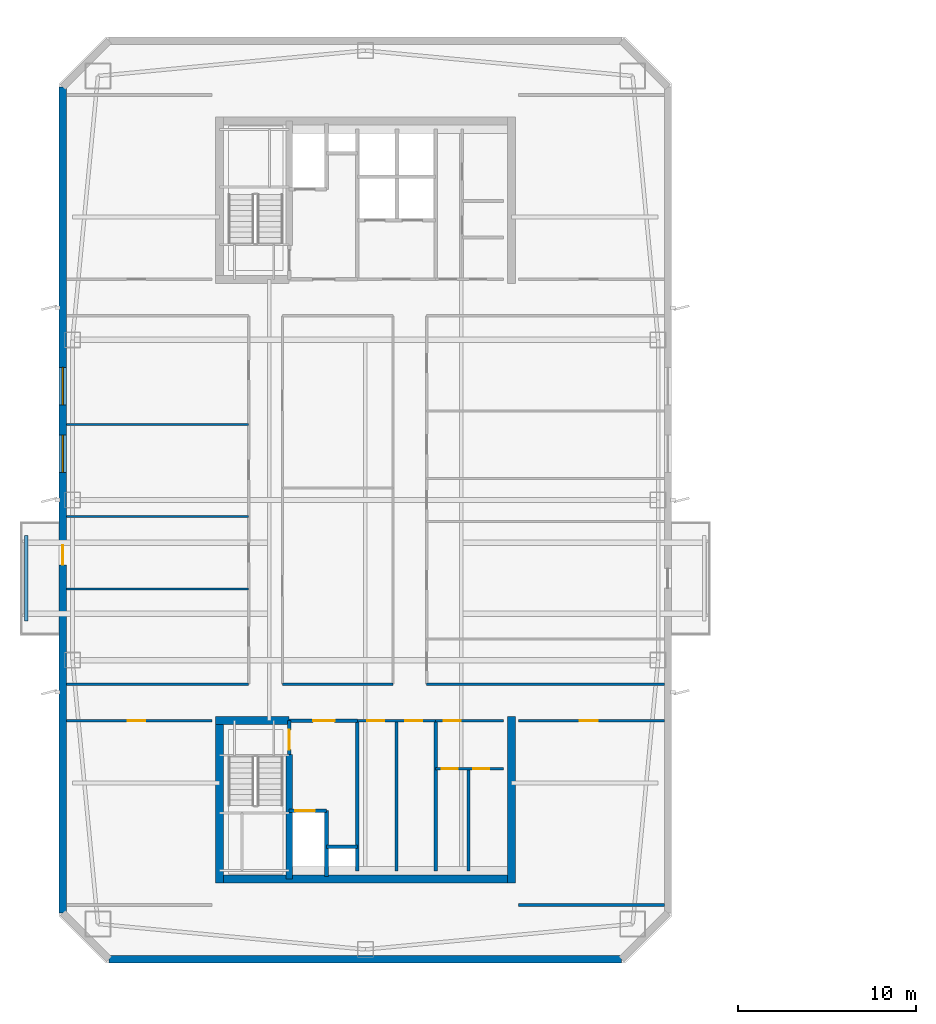
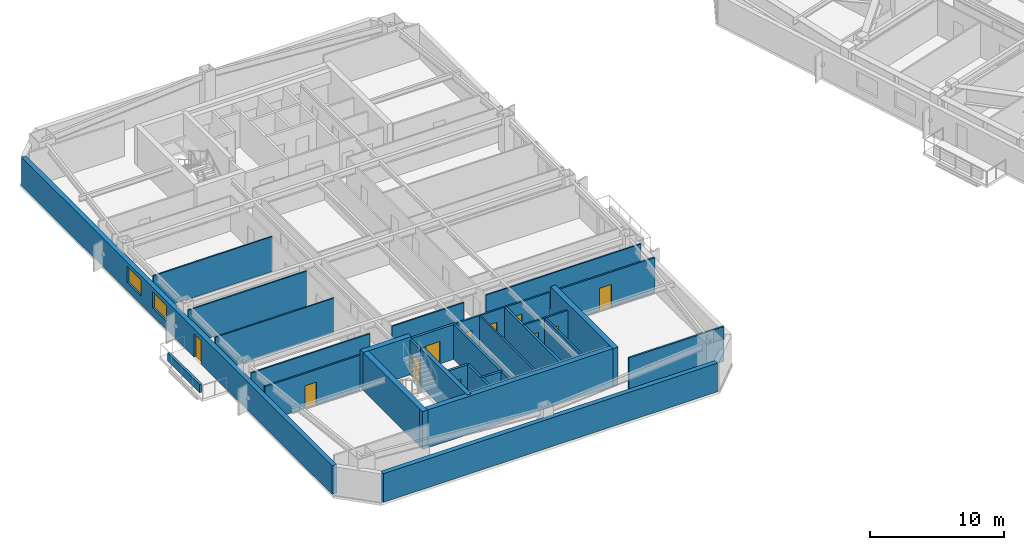
# One storey, part 6 of 18: 29 walls, 11 doors, 2 windows, 13 openings.
"""IFC4 building model written with IfcOpenShell, lengths in metres."""

import ifcopenshell
import ifcopenshell.guid

model = None  # the IFC model being written
_history = None  # IfcOwnerHistory: only IFC2X3 demands one
_inside = {}  # id of a spatial element -> (the spatial element, [elements in it])
_under = {}  # id of a project, library or spatial element -> (it, [spatial elements below it])
_declared = {}  # id of a project -> (the project, [libraries it declares])
_typed = {}  # id of a type object -> (the type object, [elements of that type])
_made_of = {}  # id of a material, layer set ... -> (it, [elements and type objects made of it])


def new_model(schema):
    """Start an empty IFC model of exactly this schema.

    Asked for "IFC4X3", IfcOpenShell would pick the latest addendum, in which some entities
    have other attributes; the version numbers below select the first issue.
    IFC2X3 requires an IfcOwnerHistory on every rooted entity: one is made here for all.
    """
    global model, _history
    if schema == "IFC4X3":
        model = ifcopenshell.file(schema_version=(4, 3, 0, 0))
    else:
        model = ifcopenshell.file(schema=schema)
    _inside.clear()
    _under.clear()
    _declared.clear()
    _typed.clear()
    _made_of.clear()
    _history = None
    if model.schema == "IFC2X3":
        org = make("IfcOrganization", Name="unknown")
        user = make(
            "IfcPersonAndOrganization",
            ThePerson=make("IfcPerson", FamilyName="unknown"),
            TheOrganization=org,
        )
        app = make(
            "IfcApplication",
            ApplicationDeveloper=org,
            Version="unknown",
            ApplicationFullName="unknown",
            ApplicationIdentifier="unknown",
        )
        _history = make(
            "IfcOwnerHistory",
            OwningUser=user,
            OwningApplication=app,
            ChangeAction="ADDED",
            CreationDate=0,
        )
    return model


def make(cls, **values):
    """One entity of the class cls with the attributes given. An attribute that is None is left unset."""
    return model.create_entity(
        cls, **{name: value for name, value in values.items() if value is not None}
    )


def rooted(cls, **values):
    """An entity with a GlobalId (a new one), such as an element, a storey or a relation."""
    return make(cls, GlobalId=ifcopenshell.guid.new(), OwnerHistory=_history, **values)


def si_unit(unit_type, name, prefix=None):
    """IfcSIUnit, for example si_unit("LENGTHUNIT", "METRE", prefix="MILLI")."""
    return make("IfcSIUnit", UnitType=unit_type, Prefix=prefix, Name=name)


def assignment(units):
    """IfcUnitAssignment: the units of a project."""
    return None if units is None else make("IfcUnitAssignment", Units=units)


def point(xyz):
    """IfcCartesianPoint."""
    return None if xyz is None else make("IfcCartesianPoint", Coordinates=xyz)


def direction(xyz):
    """IfcDirection."""
    return None if xyz is None else make("IfcDirection", DirectionRatios=xyz)


def frame(location, z_axis=None, x_axis=None):
    """IfcAxis2Placement3D, a coordinate frame: its origin and axes. An axis left out is left unset."""
    return make(
        "IfcAxis2Placement3D",
        Location=point(location),
        Axis=direction(z_axis),
        RefDirection=direction(x_axis),
    )


def frame_2d(location, x_axis=None):
    """IfcAxis2Placement2D, a coordinate frame in the plane: its origin and x axis."""
    return make(
        "IfcAxis2Placement2D", Location=point(location), RefDirection=direction(x_axis)
    )


def origin():
    """The frame at (0, 0, 0) with its axes left unset."""
    return frame((0.0, 0.0, 0.0))


def place(relative_to, where):
    """IfcLocalPlacement: puts the frame where relative to a parent placement (None: the world)."""
    return make(
        "IfcLocalPlacement", PlacementRelTo=relative_to, RelativePlacement=where
    )


def context(
    kind, dimensions, precision=None, world=None, true_north=None, identifier=None
):
    """IfcGeometricRepresentationContext, for example the 3D "Model" context."""
    return make(
        "IfcGeometricRepresentationContext",
        ContextIdentifier=identifier,
        ContextType=kind,
        CoordinateSpaceDimension=dimensions,
        Precision=precision,
        WorldCoordinateSystem=world,
        TrueNorth=true_north,
    )


def subcontext(parent, identifier, kind, view, scale=None):
    """IfcGeometricRepresentationSubContext, for example "Body" below "Model"."""
    return make(
        "IfcGeometricRepresentationSubContext",
        ContextIdentifier=identifier,
        ContextType=kind,
        ParentContext=parent,
        TargetScale=scale,
        TargetView=view,
    )


def project(units=None, contexts=None):
    """IfcProject with its units and contexts."""
    return rooted(
        "IfcProject",
        Name="project",
        RepresentationContexts=contexts,
        UnitsInContext=assignment(units),
    )


def spatial(cls, under=None, at=None, **own):
    """A site, building, storey or space (cls), placed at a placement, below another one or the project."""
    s = rooted(cls, ObjectPlacement=at, **own)
    if under is not None:
        _under.setdefault(under.id(), (under, []))[1].append(s)
    return s


def profile(cls, at=None, kind="AREA", **sizes):
    """A parametric profile (cls). Its sizes go by their IFC names, for example OverallWidth=200.0."""
    return make(cls, ProfileType=kind, Position=at, **sizes)


def rectangle(**sizes):
    """IfcRectangleProfileDef."""
    return profile("IfcRectangleProfileDef", **sizes)


def extrude(swept, where, along, depth):
    """IfcExtrudedAreaSolid: the profile swept, set in the frame where, extruded along a direction by depth."""
    return make(
        "IfcExtrudedAreaSolid",
        SweptArea=swept,
        Position=where,
        ExtrudedDirection=direction(along),
        Depth=depth,
    )


def shape(context_of_items, identifier, shape_type, items):
    """IfcShapeRepresentation: the items that make up one representation, for example the "Body"."""
    return make(
        "IfcShapeRepresentation",
        ContextOfItems=context_of_items,
        RepresentationIdentifier=identifier,
        RepresentationType=shape_type,
        Items=items,
    )


def material(Name=None, Category=None):
    """IfcMaterial."""
    return make("IfcMaterial", Name=Name, Category=Category)


def layer(
    of_material, thickness, ventilated=None, Name=None, Category=None, Priority=None
):
    """IfcMaterialLayer: one layer of a wall or slab, of a material (None: an air gap)."""
    return make(
        "IfcMaterialLayer",
        Material=of_material,
        LayerThickness=thickness,
        IsVentilated=ventilated,
        Name=Name,
        Category=Category,
        Priority=Priority,
    )


def layer_set(layers, Name=None):
    """IfcMaterialLayerSet."""
    return make("IfcMaterialLayerSet", MaterialLayers=layers, LayerSetName=Name)


def made_of(thing, what):
    """Note that an element or type object is made of a material, layer set ...; save() writes the relation."""
    if what is not None:
        _made_of.setdefault(what.id(), (what, []))[1].append(thing)
    return thing


def type_object(cls, material=None, **own):
    """A type object (cls), such as IfcWallType, which elements share."""
    return made_of(rooted(cls, **own), material)


def element(
    cls,
    number,
    at=None,
    inside=None,
    cuts=None,
    type_object=None,
    material=None,
    context=None,
    identifier="Body",
    shape_type=None,
    held_by="IfcProductDefinitionShape",
    body=None,
    shapes=None,
    **own,
):
    """One element of the class cls, such as IfcWall. Its Tag is "e" and its number.

    at: its placement. inside: the storey or other place that contains it. cuts: it is an
    opening in that element (IfcRelVoidsElement). A single representation is given by context,
    identifier, shape_type and body (its items); several are given by shapes. held_by: the class
    of the entity that holds the representations. save() writes the other relations.
    """
    e = rooted(cls, Tag="e%d" % number, ObjectPlacement=at, **own)
    if body is not None:
        shapes = [shape(context, identifier, shape_type, body)]
    if shapes is not None:
        e.Representation = make(held_by, Representations=shapes)
    if inside is not None:
        _inside.setdefault(inside.id(), (inside, []))[1].append(e)
    if cuts is not None:
        rooted(
            "IfcRelVoidsElement", RelatingBuildingElement=cuts, RelatedOpeningElement=e
        )
    if type_object is not None:
        _typed.setdefault(type_object.id(), (type_object, []))[1].append(e)
    return made_of(e, material)


def fill(opening, filler):
    """IfcRelFillsElement: the door or window that sits in an opening."""
    return rooted(
        "IfcRelFillsElement",
        RelatingOpeningElement=opening,
        RelatedBuildingElement=filler,
    )


def aggregate(whole, parts):
    """IfcRelAggregates: a whole, such as a stair, and the parts it consists of."""
    return rooted("IfcRelAggregates", RelatingObject=whole, RelatedObjects=parts)


def save(model, path):
    """Write the relations noted so far, then the file.

    IfcRelAggregates (storeys below a building ...), IfcRelContainedInSpatialStructure (elements
    in a storey), IfcRelDefinesByType, IfcRelAssociatesMaterial and IfcRelDeclares: one each for
    every whole, place, type object, material and project.
    """
    for whole, parts in _under.values():
        aggregate(whole, parts)
    for where, things in _inside.values():
        rooted(
            "IfcRelContainedInSpatialStructure",
            RelatedElements=things,
            RelatingStructure=where,
        )
    for kind, things in _typed.values():
        rooted("IfcRelDefinesByType", RelatedObjects=things, RelatingType=kind)
    for what, things in _made_of.values():
        rooted("IfcRelAssociatesMaterial", RelatedObjects=things, RelatingMaterial=what)
    for by, libraries in _declared.values():
        rooted("IfcRelDeclares", RelatingContext=by, RelatedDefinitions=libraries)
    model.write(path)


model = new_model("IFC4")

# Units and contexts
model_context = context("Model", 3, precision=1e-05, world=origin(), true_north=direction((0.0, 1.0)))
body_context = subcontext(model_context, "Body", "Model", "MODEL_VIEW")
ifc_project = project(units=[si_unit("LENGTHUNIT", "METRE"), si_unit("AREAUNIT", "SQUARE_METRE"), si_unit("VOLUMEUNIT", "CUBIC_METRE"), si_unit("PLANEANGLEUNIT", "RADIAN"), si_unit("MASSUNIT", "GRAM", prefix="KILO")], contexts=[model_context])

# Site, building, storey
site_placement = place(None, origin())
site = spatial("IfcSite", under=ifc_project, at=site_placement, CompositionType="ELEMENT")
building_placement = place(site_placement, origin())
building = spatial("IfcBuilding", under=site, at=building_placement, Name="Qiaolan Cultural Towers", CompositionType="ELEMENT")
storey_placement = place(building_placement, frame((0.0, 0.0, 195.5)))
storey = spatial("IfcBuildingStorey", under=building, at=storey_placement, Name="L52", CompositionType="ELEMENT", Elevation=195.5)

# Walls
ifc_material_1 = material(Name="Concrete C50", Category="concrete")
ifc_layer_1 = layer(ifc_material_1, 0.35009765625)
ifc_layer_set_1 = layer_set([ifc_layer_1], Name="Concrete C50")
wall_type_1 = type_object("IfcWallType", Name="WL-CORE-350", PredefinedType="SHEAR", material=ifc_layer_set_1)
wall_1_placement = place(storey_placement, frame((25.719970703125, 19.699951171875, 0.0), z_axis=(0.0, 0.0, 1.0), x_axis=(0.0, -1.0, 0.0)))
element("IfcWall", 1, at=wall_1_placement, inside=storey, type_object=wall_type_1, Name="L52 T1-CS Stair Core Dividing Web", PredefinedType="SHEAR", context=body_context, shape_type="SweptSolid", body=[
    extrude(rectangle(XDim=6.97998046875, YDim=0.35009765625, at=frame_2d((3.489990234375, 0.0))), origin(), (0.0, 0.0, 1.0), 3.449951171875),
])
ifc_material_2 = material(Name="Concrete C50", Category="concrete")
ifc_layer_2 = layer(ifc_material_2, 0.449951171875)
ifc_layer_set_2 = layer_set([ifc_layer_2], Name="Concrete C50")
wall_type_2 = type_object("IfcWallType", Name="WL-CORE-450", PredefinedType="SHEAR", material=ifc_layer_set_2)
wall_2_placement = place(storey_placement, frame((21.574951171875, 12.719970703125, 0.0), z_axis=(0.0, 0.0, 1.0), x_axis=(1.0, 0.0, 0.0)))
element("IfcWall", 2, at=wall_2_placement, inside=storey, type_object=wall_type_2, Name="L52 T1-CS Outer Core Shear Wall", PredefinedType="SHEAR", context=body_context, shape_type="SweptSolid", body=[
    extrude(rectangle(XDim=16.85009765625, YDim=0.449951171875, at=frame_2d((8.425048828125, 0.0))), origin(), (0.0, 0.0, 1.0), 3.449951171875),
])
for number, where, z_axis, x_axis, name in (
    (3, (21.800048828125, 21.824951171875, 0.0), (0.0, 0.0, 1.0), (0.0, -1.0, 0.0), "L52 T1-CS West Core Shear Wall"),
    (4, (38.199951171875, 21.824951171875, 0.0), (0.0, 0.0, 1.0), (0.0, -1.0, 0.0), "L52 T1-CS East Core Shear Wall"),
):
    element("IfcWall", number, at=place(storey_placement, frame(where, z_axis=z_axis, x_axis=x_axis)), inside=storey, type_object=wall_type_2, Name=name, PredefinedType="SHEAR", context=body_context, shape_type="SweptSolid", body=[
        extrude(rectangle(XDim=9.329833984375, YDim=0.449951171875, at=frame_2d((4.6650390625, 0.0))), origin(), (0.0, 0.0, 1.0), 3.449951171875),
    ])
wall_3_placement = place(storey_placement, frame((21.574951171875, 21.60009765625, 0.0), z_axis=(0.0, 0.0, 1.0), x_axis=(1.0, 0.0, 0.0)))
element("IfcWall", 5, at=wall_3_placement, inside=storey, type_object=wall_type_2, Name="L52 T1-CS Stair Front Shear Wall", PredefinedType="SHEAR", context=body_context, shape_type="SweptSolid", body=[
    extrude(rectangle(XDim=4.14501953125, YDim=0.449951171875, at=frame_2d((2.072509765625, 0.0))), origin(), (0.0, 0.0, 1.0), 3.449951171875),
])

# Wall, openings, door, windows
ifc_material_3 = material(Name="Precast Concrete C50 Honed Stone Pier", Category="masonry")
ifc_layer_3 = layer(ifc_material_3, 0.39990234375)
ifc_layer_set_3 = layer_set([ifc_layer_3], Name="Precast Concrete C50 Honed Stone Pier")
wall_type_3 = type_object("IfcWallType", Name="WL-EXT-PIER-400", PredefinedType="SOLIDWALL", material=ifc_layer_set_3)
wall_4_placement = place(storey_placement, frame((13.0, 10.800048828125, 0.0), z_axis=(0.0, 0.0, 1.0), x_axis=(0.0, 1.0, 0.0)))
wall_4 = element("IfcWall", 6, at=wall_4_placement, inside=storey, type_object=wall_type_3, Name="L52 West Tower Precast Pier Facade Wall F1", PredefinedType="SOLIDWALL", context=body_context, shape_type="SweptSolid", body=[
    extrude(rectangle(XDim=46.39990234375, YDim=0.39990234375, at=frame_2d((23.199951171875, 0.0))), origin(), (0.0, 0.0, 1.0), 2.610107421875),
])
opening_1_placement = place(wall_4_placement, frame((24.75, 0.0, 0.75)))
opening_1 = element("IfcOpeningElement", 7, at=opening_1_placement, cuts=wall_4, Name="Opening W-05", PredefinedType="OPENING", context=body_context, shape_type="SweptSolid", body=[
    extrude(rectangle(XDim=2.10009765625, YDim=1.4599609375, at=frame_2d((1.050048828125, 0.72998046875))), frame((0.0, 0.2099609375, 0.0), z_axis=(0.0, -1.0, 0.0), x_axis=(1.0, 0.0, 0.0)), (0.0, 0.0, 1.0), 0.419921875),
])
opening_2_placement = place(wall_4_placement, frame((28.550048828125, 0.0, 0.75)))
opening_2 = element("IfcOpeningElement", 8, at=opening_2_placement, cuts=wall_4, Name="Opening W-05", PredefinedType="OPENING", context=body_context, shape_type="SweptSolid", body=[
    extrude(rectangle(XDim=2.10009765625, YDim=1.4599609375, at=frame_2d((1.050048828125, 0.72998046875))), frame((0.0, 0.2099609375, 0.0), z_axis=(0.0, -1.0, 0.0), x_axis=(1.0, 0.0, 0.0)), (0.0, 0.0, 1.0), 0.419921875),
])
opening_3_placement = place(wall_4_placement, frame((19.550048828125, 0.0, 0.0)))
opening_3 = element("IfcOpeningElement", 9, at=opening_3_placement, cuts=wall_4, Name="Opening BD-01", PredefinedType="OPENING", context=body_context, shape_type="SweptSolid", body=[
    extrude(rectangle(XDim=1.10009765625, YDim=2.14990234375, at=frame_2d((0.550048828125, 1.074951171875))), frame((0.0, 0.2099609375, 0.0), z_axis=(0.0, -1.0, 0.0), x_axis=(1.0, 0.0, 0.0)), (0.0, 0.0, 1.0), 0.419921875),
])
ifc_material_4 = material(Name="Thermally Broken Aluminium Glazed Terrace Door", Category="aluminium")
door_type_1 = type_object("IfcDoorType", Name="DR-BAL-1100", OperationType="NOTDEFINED", PredefinedType="DOOR", material=ifc_material_4)
door_1_placement = place(opening_3_placement, origin())
door_1 = element("IfcDoor", 10, at=door_1_placement, inside=storey, type_object=door_type_1, Name="L52 T1 West Tree Balcony Door", OperationType="SINGLE_SWING_LEFT", OverallHeight=2.14990234375, OverallWidth=1.10009765625, PredefinedType="DOOR", context=body_context, shape_type="SweptSolid", body=[
    extrude(rectangle(XDim=1.10009765625, YDim=2.14990234375, at=frame_2d((0.550048828125, 1.074951171875))), frame((0.0, 0.02490234375, 0.0), z_axis=(0.0, -1.0, 0.0), x_axis=(1.0, 0.0, 0.0)), (0.0, 0.0, 1.0), 0.050048828125),
])
fill(opening_3, door_1)
ifc_material_5 = material(Name="Thermally Broken Aluminium Triple Low-E Glazing", Category="aluminium")
window_type = type_object("IfcWindowType", Name="WN-CHIC-2100", PartitioningType="SINGLE_PANEL", PredefinedType="WINDOW", material=ifc_material_5)
window_1_placement = place(opening_1_placement, origin())
window_1 = element("IfcWindow", 11, at=window_1_placement, inside=storey, type_object=window_type, Name="L52 T1 W Chicago Bay Window 1", OverallHeight=1.4599609375, OverallWidth=2.10009765625, PartitioningType="TRIPLE_PANEL_VERTICAL", PredefinedType="WINDOW", context=body_context, shape_type="SweptSolid", body=[
    extrude(rectangle(XDim=2.10009765625, YDim=1.4599609375, at=frame_2d((1.050048828125, 0.72998046875))), frame((0.0, 0.030029296875, 0.0), z_axis=(0.0, -1.0, 0.0), x_axis=(1.0, 0.0, 0.0)), (0.0, 0.0, 1.0), 0.06005859375),
])
fill(opening_1, window_1)
window_2_placement = place(opening_2_placement, origin())
window_2 = element("IfcWindow", 12, at=window_2_placement, inside=storey, type_object=window_type, Name="L52 T1 W Chicago Bay Window 2", OverallHeight=1.4599609375, OverallWidth=2.10009765625, PartitioningType="TRIPLE_PANEL_VERTICAL", PredefinedType="WINDOW", context=body_context, shape_type="SweptSolid", body=[
    extrude(rectangle(XDim=2.10009765625, YDim=1.4599609375, at=frame_2d((1.050048828125, 0.72998046875))), frame((0.0, 0.030029296875, 0.0), z_axis=(0.0, -1.0, 0.0), x_axis=(1.0, 0.0, 0.0)), (0.0, 0.0, 1.0), 0.06005859375),
])
fill(opening_2, window_2)

# Wall
wall_5_placement = place(storey_placement, frame((44.39990234375, 8.199951171875, 0.0), z_axis=(0.0, 0.0, 1.0), x_axis=(-1.0, 0.0, 0.0)))
element("IfcWall", 13, at=wall_5_placement, inside=storey, type_object=wall_type_3, Name="L52 West Tower Precast Pier Facade Wall F7", PredefinedType="SOLIDWALL", context=body_context, shape_type="SweptSolid", body=[
    extrude(rectangle(XDim=28.7998046875, YDim=0.39990234375, at=frame_2d((14.39990234375, 0.0))), origin(), (0.0, 0.0, 1.0), 2.610107421875),
])

# Wall, opening, door
ifc_material_6 = material(Name="Concrete C35 Fire Wall", Category="concrete")
ifc_layer_4 = layer(ifc_material_6, 0.199951171875)
ifc_layer_set_4 = layer_set([ifc_layer_4], Name="Concrete C35 Fire Wall")
wall_type_4 = type_object("IfcWallType", Name="WL-FIRE-200", PredefinedType="PARTITIONING", material=ifc_layer_set_4)
wall_6_placement = place(storey_placement, frame((25.719970703125, 21.60009765625, 0.0), z_axis=(0.0, 0.0, 1.0), x_axis=(0.0, -1.0, 0.0)))
wall_6 = element("IfcWall", 14, at=wall_6_placement, inside=storey, type_object=wall_type_4, Name="L52 T1-CS Smokeproof Stair Entry Wall", PredefinedType="PARTITIONING", context=body_context, shape_type="SweptSolid", body=[
    extrude(rectangle(XDim=1.900146484375, YDim=0.199951171875, at=frame_2d((0.9501953125, 0.0))), origin(), (0.0, 0.0, 1.0), 3.175048828125),
])
opening_4_placement = place(wall_6_placement, frame((0.52001953125, 0.0, 0.0)))
opening_4 = element("IfcOpeningElement", 15, at=opening_4_placement, cuts=wall_6, Name="Opening FD-04", PredefinedType="OPENING", context=body_context, shape_type="SweptSolid", body=[
    extrude(rectangle(XDim=1.10009765625, YDim=2.050048828125, at=frame_2d((0.550048828125, 1.02490234375))), frame((0.0, 0.10986328125, 0.0), z_axis=(0.0, -1.0, 0.0), x_axis=(1.0, 0.0, 0.0)), (0.0, 0.0, 1.0), 0.219970703125),
])
ifc_material_7 = material(Name="Galvanized Steel Command Fire Door", Category="steel")
door_type_2 = type_object("IfcDoorType", Name="DR-FD90-1100", OperationType="NOTDEFINED", PredefinedType="DOOR", material=ifc_material_7)
door_2_placement = place(opening_4_placement, origin())
door_2 = element("IfcDoor", 16, at=door_2_placement, inside=storey, type_object=door_type_2, Name="L52 ST-W1 Smokeproof Stair Fire Door", OperationType="SINGLE_SWING_LEFT", OverallHeight=2.050048828125, OverallWidth=1.10009765625, PredefinedType="DOOR", context=body_context, shape_type="SweptSolid", body=[
    extrude(rectangle(XDim=1.10009765625, YDim=2.050048828125, at=frame_2d((0.550048828125, 1.02490234375))), frame((0.0, 0.02490234375, 0.0), z_axis=(0.0, -1.0, 0.0), x_axis=(1.0, 0.0, 0.0)), (0.0, 0.0, 1.0), 0.050048828125),
])
fill(opening_4, door_2)

# Wall
wall_7_placement = place(storey_placement, frame((29.550048828125, 21.60009765625, 0.0), z_axis=(0.0, 0.0, 1.0), x_axis=(0.0, -1.0, 0.0)))
element("IfcWall", 17, at=wall_7_placement, inside=storey, type_object=wall_type_4, Name="L52 T1-CS Firefighting Zone Wall", PredefinedType="PARTITIONING", context=body_context, shape_type="SweptSolid", body=[
    extrude(rectangle(XDim=8.43017578125, YDim=0.199951171875, at=frame_2d((4.215087890625, 0.0))), origin(), (0.0, 0.0, 1.0), 3.175048828125),
])

# Wall, opening, door
wall_8_placement = place(storey_placement, frame((25.719970703125, 21.60009765625, 0.0), z_axis=(0.0, 0.0, 1.0), x_axis=(1.0, 0.0, 0.0)))
wall_8 = element("IfcWall", 18, at=wall_8_placement, inside=storey, type_object=wall_type_4, Name="L52 T1-CS Firefighting Lobby Front Wall", PredefinedType="PARTITIONING", context=body_context, shape_type="SweptSolid", body=[
    extrude(rectangle(XDim=3.830078125, YDim=0.199951171875, at=frame_2d((1.9150390625, 0.0))), origin(), (0.0, 0.0, 1.0), 3.175048828125),
])
opening_5_placement = place(wall_8_placement, frame((1.35009765625, 0.0, 0.0)))
opening_5 = element("IfcOpeningElement", 19, at=opening_5_placement, cuts=wall_8, Name="Opening FD-03", PredefinedType="OPENING", context=body_context, shape_type="SweptSolid", body=[
    extrude(rectangle(XDim=1.199951171875, YDim=2.050048828125, at=frame_2d((0.60009765625, 1.02490234375))), frame((0.0, 0.10986328125, 0.0), z_axis=(0.0, -1.0, 0.0), x_axis=(1.0, 0.0, 0.0)), (0.0, 0.0, 1.0), 0.219970703125),
])
ifc_material_8 = material(Name="Galvanized Steel Smokeproof Lobby Fire Door", Category="steel")
door_type_3 = type_object("IfcDoorType", Name="DR-FD90-1200", OperationType="NOTDEFINED", PredefinedType="DOOR", material=ifc_material_8)
door_3_placement = place(opening_5_placement, origin())
door_3 = element("IfcDoor", 20, at=door_3_placement, inside=storey, type_object=door_type_3, Name="L52 FFL-W1 Firefighting Lobby Fire Door", OperationType="SINGLE_SWING_LEFT", OverallHeight=2.050048828125, OverallWidth=1.199951171875, PredefinedType="DOOR", context=body_context, shape_type="SweptSolid", body=[
    extrude(rectangle(XDim=1.199951171875, YDim=2.050048828125, at=frame_2d((0.60009765625, 1.02490234375))), frame((0.0, 0.02490234375, 0.0), z_axis=(0.0, -1.0, 0.0), x_axis=(1.0, 0.0, 0.0)), (0.0, 0.0, 1.0), 0.050048828125),
])
fill(opening_5, door_3)

wall_9_placement = place(storey_placement, frame((25.719970703125, 16.550048828125, 0.0), z_axis=(0.0, 0.0, 1.0), x_axis=(1.0, 0.0, 0.0)))
wall_9 = element("IfcWall", 21, at=wall_9_placement, inside=storey, type_object=wall_type_4, Name="L52 T1-CS Firefighting Shaft Front Wall", PredefinedType="PARTITIONING", context=body_context, shape_type="SweptSolid", body=[
    extrude(rectangle(XDim=2.10009765625, YDim=0.199951171875, at=frame_2d((1.050048828125, 0.0))), origin(), (0.0, 0.0, 1.0), 3.175048828125),
])
opening_6_placement = place(wall_9_placement, frame((0.35009765625, 0.0, 0.0)))
opening_6 = element("IfcOpeningElement", 22, at=opening_6_placement, cuts=wall_9, Name="Opening LD-01", PredefinedType="OPENING", context=body_context, shape_type="SweptSolid", body=[
    extrude(rectangle(XDim=1.10009765625, YDim=2.050048828125, at=frame_2d((0.550048828125, 1.02490234375))), frame((0.0, 0.10986328125, 0.0), z_axis=(0.0, -1.0, 0.0), x_axis=(1.0, 0.0, 0.0)), (0.0, 0.0, 1.0), 0.219970703125),
])
ifc_material_9 = material(Name="Brushed Stainless Steel S30408 Centre-Parting Lift Landing Door", Category="steel")
door_type_4 = type_object("IfcDoorType", Name="DR-LIFT-1100", OperationType="NOTDEFINED", PredefinedType="DOOR", material=ifc_material_9)
door_4_placement = place(opening_6_placement, origin())
door_4 = element("IfcDoor", 23, at=door_4_placement, inside=storey, type_object=door_type_4, Name="L52 FFL-W1 Firefighting Lift Landing Door", OperationType="DOUBLE_DOOR_SLIDING", OverallHeight=2.050048828125, OverallWidth=1.10009765625, PredefinedType="DOOR", context=body_context, shape_type="SweptSolid", body=[
    extrude(rectangle(XDim=1.10009765625, YDim=2.050048828125, at=frame_2d((0.550048828125, 1.02490234375))), frame((0.0, 0.02490234375, 0.0), z_axis=(0.0, -1.0, 0.0), x_axis=(1.0, 0.0, 0.0)), (0.0, 0.0, 1.0), 0.050048828125),
])
fill(opening_6, door_4)

# Walls
wall_10_placement = place(storey_placement, frame((27.820068359375, 16.550048828125, 0.0), z_axis=(0.0, 0.0, 1.0), x_axis=(0.0, -1.0, 0.0)))
element("IfcWall", 24, at=wall_10_placement, inside=storey, type_object=wall_type_4, Name="L52 T1-CS Firefighting Hoistway East Wall", PredefinedType="PARTITIONING", context=body_context, shape_type="SweptSolid", body=[
    extrude(rectangle(XDim=3.699951171875, YDim=0.199951171875, at=frame_2d((1.85009765625, 0.0))), origin(), (0.0, 0.0, 1.0), 3.175048828125),
])
wall_11_placement = place(storey_placement, frame((27.820068359375, 14.52001953125, 0.0), z_axis=(0.0, 0.0, 1.0), x_axis=(1.0, 0.0, 0.0)))
element("IfcWall", 25, at=wall_11_placement, inside=storey, type_object=wall_type_4, Name="L52 T1-CS Pressurization Shaft Front Wall", PredefinedType="PARTITIONING", context=body_context, shape_type="SweptSolid", body=[
    extrude(rectangle(XDim=1.72998046875, YDim=0.199951171875, at=frame_2d((0.864990234375, 0.0))), origin(), (0.0, 0.0, 1.0), 3.175048828125),
])
wall_12_placement = place(storey_placement, frame((33.949951171875, 21.60009765625, 0.0), z_axis=(0.0, 0.0, 1.0), x_axis=(0.0, -1.0, 0.0)))
element("IfcWall", 26, at=wall_12_placement, inside=storey, type_object=wall_type_4, Name="L52 T1-CS Lift Core East Wall", PredefinedType="PARTITIONING", context=body_context, shape_type="SweptSolid", body=[
    extrude(rectangle(XDim=8.43017578125, YDim=0.199951171875, at=frame_2d((4.215087890625, 0.0))), origin(), (0.0, 0.0, 1.0), 3.175048828125),
])
ifc_material_10 = material(Name="Gypsum Stud Acoustic Partition", Category="gypsum")
ifc_layer_5 = layer(ifc_material_10, 0.1201171875)
ifc_layer_set_5 = layer_set([ifc_layer_5], Name="Gypsum Stud Acoustic Partition")
wall_type_5 = type_object("IfcWallType", Name="WL-PART-120", PredefinedType="PARTITIONING", material=ifc_layer_set_5)
wall_13_placement = place(storey_placement, frame((13.199951171875, 23.64990234375, 0.0), z_axis=(0.0, 0.0, 1.0), x_axis=(1.0, 0.0, 0.0)))
element("IfcWall", 27, at=wall_13_placement, inside=storey, type_object=wall_type_5, Name="L52 T1 Interior Wall", PredefinedType="PARTITIONING", context=body_context, shape_type="SweptSolid", body=[
    extrude(rectangle(XDim=10.25, YDim=0.1201171875, at=frame_2d((5.125, 0.0))), origin(), (0.0, 0.0, 1.0), 3.175048828125),
])
wall_14_placement = place(storey_placement, frame((25.35009765625, 23.64990234375, 0.0), z_axis=(0.0, 0.0, 1.0), x_axis=(1.0, 0.0, 0.0)))
element("IfcWall", 28, at=wall_14_placement, inside=storey, type_object=wall_type_5, Name="L52 T1 Interior Wall", PredefinedType="PARTITIONING", context=body_context, shape_type="SweptSolid", body=[
    extrude(rectangle(XDim=6.199951171875, YDim=0.1201171875, at=frame_2d((3.10009765625, 0.0))), origin(), (0.0, 0.0, 1.0), 3.175048828125),
])
wall_15_placement = place(storey_placement, frame((33.449951171875, 23.64990234375, 0.0), z_axis=(0.0, 0.0, 1.0), x_axis=(1.0, 0.0, 0.0)))
element("IfcWall", 29, at=wall_15_placement, inside=storey, type_object=wall_type_5, Name="L52 T1 Interior Wall", PredefinedType="PARTITIONING", context=body_context, shape_type="SweptSolid", body=[
    extrude(rectangle(XDim=13.35009765625, YDim=0.1201171875, at=frame_2d((6.675048828125, 0.0))), origin(), (0.0, 0.0, 1.0), 3.175048828125),
])
for number, where, z_axis, x_axis, name in (
    (30, (13.199951171875, 29.0, 0.0), (0.0, 0.0, 1.0), (1.0, 0.0, 0.0), "L52 T1 Interior Wall"),
    (31, (13.199951171875, 33.06494140625, 0.0), (0.0, 0.0, 1.0), (1.0, 0.0, 0.0), "L52 T1 Interior Wall"),
    (32, (13.199951171875, 38.239990234375, 0.0), (0.0, 0.0, 1.0), (1.0, 0.0, 0.0), "L52 T1 Interior Wall"),
):
    element("IfcWall", number, at=place(storey_placement, frame(where, z_axis=z_axis, x_axis=x_axis)), inside=storey, type_object=wall_type_5, Name=name, PredefinedType="PARTITIONING", context=body_context, shape_type="SweptSolid", body=[
        extrude(rectangle(XDim=10.25, YDim=0.1201171875, at=frame_2d((5.125, 0.0))), origin(), (0.0, 0.0, 1.0), 3.175048828125),
    ])

# Wall, openings, doors
ifc_material_11 = material(Name="Autoclaved Aerated Concrete Block B06", Category="concrete")
ifc_layer_6 = layer(ifc_material_11, 0.14990234375)
ifc_layer_set_6 = layer_set([ifc_layer_6], Name="Autoclaved Aerated Concrete Block B06")
wall_type_6 = type_object("IfcWallType", Name="WL-PART-150", PredefinedType="PARTITIONING", material=ifc_layer_set_6)
wall_16_placement = place(storey_placement, frame((29.550048828125, 21.60009765625, 0.0), z_axis=(0.0, 0.0, 1.0), x_axis=(1.0, 0.0, 0.0)))
wall_16 = element("IfcWall", 33, at=wall_16_placement, inside=storey, type_object=wall_type_6, Name="L52 T1-CS Reclaimed Core Room Front Wall", PredefinedType="PARTITIONING", context=body_context, shape_type="SweptSolid", body=[
    extrude(rectangle(XDim=4.39990234375, YDim=0.14990234375, at=frame_2d((2.199951171875, 0.0))), origin(), (0.0, 0.0, 1.0), 3.175048828125),
])
opening_7_placement = place(wall_16_placement, frame((0.550048828125, 0.0, 0.0)))
opening_7 = element("IfcOpeningElement", 34, at=opening_7_placement, cuts=wall_16, Name="Opening ID-05", PredefinedType="OPENING", context=body_context, shape_type="SweptSolid", body=[
    extrude(rectangle(XDim=0.949951171875, YDim=2.050048828125, at=frame_2d((0.47509765625, 1.02490234375))), frame((0.0, 0.0849609375, 0.0), z_axis=(0.0, -1.0, 0.0), x_axis=(1.0, 0.0, 0.0)), (0.0, 0.0, 1.0), 0.169921875),
])
opening_8_placement = place(wall_16_placement, frame((2.699951171875, 0.0, 0.0)))
opening_8 = element("IfcOpeningElement", 35, at=opening_8_placement, cuts=wall_16, Name="Opening ID-05", PredefinedType="OPENING", context=body_context, shape_type="SweptSolid", body=[
    extrude(rectangle(XDim=0.949951171875, YDim=2.050048828125, at=frame_2d((0.47509765625, 1.02490234375))), frame((0.0, 0.0849609375, 0.0), z_axis=(0.0, -1.0, 0.0), x_axis=(1.0, 0.0, 0.0)), (0.0, 0.0, 1.0), 0.169921875),
])
ifc_material_12 = material(Name="Fire-Rated Laminate Accessible Core Door", Category="timber")
door_type_5 = type_object("IfcDoorType", Name="DR-INT-950", OperationType="NOTDEFINED", PredefinedType="DOOR", material=ifc_material_12)
door_5_placement = place(opening_7_placement, origin())
door_5 = element("IfcDoor", 36, at=door_5_placement, inside=storey, type_object=door_type_5, Name="L52 Copy Print Room Door", OperationType="SINGLE_SWING_LEFT", OverallHeight=2.050048828125, OverallWidth=0.949951171875, PredefinedType="DOOR", context=body_context, shape_type="SweptSolid", body=[
    extrude(rectangle(XDim=0.949951171875, YDim=2.050048828125, at=frame_2d((0.47509765625, 1.02490234375))), frame((0.0, 0.02490234375, 0.0), z_axis=(0.0, -1.0, 0.0), x_axis=(1.0, 0.0, 0.0)), (0.0, 0.0, 1.0), 0.050048828125),
])
fill(opening_7, door_5)
door_6_placement = place(opening_8_placement, origin())
door_6 = element("IfcDoor", 37, at=door_6_placement, inside=storey, type_object=door_type_5, Name="L52 Tea Pantry Room Door", OperationType="SINGLE_SWING_RIGHT", OverallHeight=2.050048828125, OverallWidth=0.949951171875, PredefinedType="DOOR", context=body_context, shape_type="SweptSolid", body=[
    extrude(rectangle(XDim=0.949951171875, YDim=2.050048828125, at=frame_2d((0.47509765625, 1.02490234375))), frame((0.0, 0.02490234375, 0.0), z_axis=(0.0, -1.0, 0.0), x_axis=(1.0, 0.0, 0.0)), (0.0, 0.0, 1.0), 0.050048828125),
])
fill(opening_8, door_6)

# Wall
wall_17_placement = place(storey_placement, frame((31.75, 21.60009765625, 0.0), z_axis=(0.0, 0.0, 1.0), x_axis=(0.0, -1.0, 0.0)))
element("IfcWall", 38, at=wall_17_placement, inside=storey, type_object=wall_type_6, Name="L52 T1-CS Reclaimed Twin Room Wall", PredefinedType="PARTITIONING", context=body_context, shape_type="SweptSolid", body=[
    extrude(rectangle(XDim=8.43017578125, YDim=0.14990234375, at=frame_2d((4.215087890625, 0.0))), origin(), (0.0, 0.0, 1.0), 3.175048828125),
])

# Wall, opening, door
wall_18_placement = place(storey_placement, frame((33.949951171875, 21.60009765625, 0.0), z_axis=(0.0, 0.0, 1.0), x_axis=(1.0, 0.0, 0.0)))
wall_18 = element("IfcWall", 39, at=wall_18_placement, inside=storey, type_object=wall_type_6, Name="L52 T1-CS Sanitary Core Front Wall", PredefinedType="PARTITIONING", context=body_context, shape_type="SweptSolid", body=[
    extrude(rectangle(XDim=3.800048828125, YDim=0.14990234375, at=frame_2d((1.89990234375, 0.0))), origin(), (0.0, 0.0, 1.0), 3.175048828125),
])
opening_9_placement = place(wall_18_placement, frame((0.449951171875, 0.0, 0.0)))
opening_9 = element("IfcOpeningElement", 40, at=opening_9_placement, cuts=wall_18, Name="Opening ID-05", PredefinedType="OPENING", context=body_context, shape_type="SweptSolid", body=[
    extrude(rectangle(XDim=0.949951171875, YDim=2.050048828125, at=frame_2d((0.47509765625, 1.02490234375))), frame((0.0, 0.0849609375, 0.0), z_axis=(0.0, -1.0, 0.0), x_axis=(1.0, 0.0, 0.0)), (0.0, 0.0, 1.0), 0.169921875),
])
door_7_placement = place(opening_9_placement, origin())
door_7 = element("IfcDoor", 41, at=door_7_placement, inside=storey, type_object=door_type_5, Name="L52 Sanitary Vestibule Door", OperationType="SINGLE_SWING_LEFT", OverallHeight=2.050048828125, OverallWidth=0.949951171875, PredefinedType="DOOR", context=body_context, shape_type="SweptSolid", body=[
    extrude(rectangle(XDim=0.949951171875, YDim=2.050048828125, at=frame_2d((0.47509765625, 1.02490234375))), frame((0.0, 0.02490234375, 0.0), z_axis=(0.0, -1.0, 0.0), x_axis=(1.0, 0.0, 0.0)), (0.0, 0.0, 1.0), 0.050048828125),
])
fill(opening_9, door_7)

# Wall, openings, doors
wall_19_placement = place(storey_placement, frame((33.949951171875, 18.89990234375, 0.0), z_axis=(0.0, 0.0, 1.0), x_axis=(1.0, 0.0, 0.0)))
wall_19 = element("IfcWall", 42, at=wall_19_placement, inside=storey, type_object=wall_type_6, Name="L52 T1-CS Restroom Vestibule Wall", PredefinedType="PARTITIONING", context=body_context, shape_type="SweptSolid", body=[
    extrude(rectangle(XDim=3.800048828125, YDim=0.14990234375, at=frame_2d((1.89990234375, 0.0))), origin(), (0.0, 0.0, 1.0), 3.175048828125),
])
opening_10_placement = place(wall_19_placement, frame((0.35009765625, 0.0, 0.0)))
opening_10 = element("IfcOpeningElement", 43, at=opening_10_placement, cuts=wall_19, Name="Opening ID-06", PredefinedType="OPENING", context=body_context, shape_type="SweptSolid", body=[
    extrude(rectangle(XDim=0.89990234375, YDim=2.050048828125, at=frame_2d((0.449951171875, 1.02490234375))), frame((0.0, 0.0849609375, 0.0), z_axis=(0.0, -1.0, 0.0), x_axis=(1.0, 0.0, 0.0)), (0.0, 0.0, 1.0), 0.169921875),
])
opening_11_placement = place(wall_19_placement, frame((2.10009765625, 0.0, 0.0)))
opening_11 = element("IfcOpeningElement", 44, at=opening_11_placement, cuts=wall_19, Name="Opening ID-06", PredefinedType="OPENING", context=body_context, shape_type="SweptSolid", body=[
    extrude(rectangle(XDim=0.89990234375, YDim=2.050048828125, at=frame_2d((0.449951171875, 1.02490234375))), frame((0.0, 0.0849609375, 0.0), z_axis=(0.0, -1.0, 0.0), x_axis=(1.0, 0.0, 0.0)), (0.0, 0.0, 1.0), 0.169921875),
])
ifc_material_13 = material(Name="Fire-Rated Laminate Core Service Door", Category="timber")
door_type_6 = type_object("IfcDoorType", Name="DR-INT-900", OperationType="NOTDEFINED", PredefinedType="DOOR", material=ifc_material_13)
door_8_placement = place(opening_10_placement, origin())
door_8 = element("IfcDoor", 45, at=door_8_placement, inside=storey, type_object=door_type_6, Name="L52 Men Restroom Door", OperationType="SINGLE_SWING_LEFT", OverallHeight=2.050048828125, OverallWidth=0.89990234375, PredefinedType="DOOR", context=body_context, shape_type="SweptSolid", body=[
    extrude(rectangle(XDim=0.89990234375, YDim=2.050048828125, at=frame_2d((0.449951171875, 1.02490234375))), frame((0.0, 0.02490234375, 0.0), z_axis=(0.0, -1.0, 0.0), x_axis=(1.0, 0.0, 0.0)), (0.0, 0.0, 1.0), 0.050048828125),
])
fill(opening_10, door_8)
door_9_placement = place(opening_11_placement, origin())
door_9 = element("IfcDoor", 46, at=door_9_placement, inside=storey, type_object=door_type_6, Name="L52 Accessible & Women Restroom Door", OperationType="SINGLE_SWING_RIGHT", OverallHeight=2.050048828125, OverallWidth=0.89990234375, PredefinedType="DOOR", context=body_context, shape_type="SweptSolid", body=[
    extrude(rectangle(XDim=0.89990234375, YDim=2.050048828125, at=frame_2d((0.449951171875, 1.02490234375))), frame((0.0, 0.02490234375, 0.0), z_axis=(0.0, -1.0, 0.0), x_axis=(1.0, 0.0, 0.0)), (0.0, 0.0, 1.0), 0.050048828125),
])
fill(opening_11, door_9)

# Wall
wall_20_placement = place(storey_placement, frame((35.800048828125, 18.89990234375, 0.0), z_axis=(0.0, 0.0, 1.0), x_axis=(0.0, -1.0, 0.0)))
element("IfcWall", 47, at=wall_20_placement, inside=storey, type_object=wall_type_6, Name="L52 T1-CS Restroom Divider Wall", PredefinedType="PARTITIONING", context=body_context, shape_type="SweptSolid", body=[
    extrude(rectangle(XDim=5.72998046875, YDim=0.14990234375, at=frame_2d((2.864990234375, 0.0))), origin(), (0.0, 0.0, 1.0), 3.175048828125),
])

# Wall, opening, door
wall_21_placement = place(storey_placement, frame((13.199951171875, 21.60009765625, 0.0), z_axis=(0.0, 0.0, 1.0), x_axis=(1.0, 0.0, 0.0)))
wall_21 = element("IfcWall", 48, at=wall_21_placement, inside=storey, type_object=wall_type_6, Name="L52 T1 Flank Front FLK-SW", PredefinedType="PARTITIONING", context=body_context, shape_type="SweptSolid", body=[
    extrude(rectangle(XDim=8.199951171875, YDim=0.14990234375, at=frame_2d((4.10009765625, 0.0))), origin(), (0.0, 0.0, 1.0), 3.175048828125),
])
opening_12_placement = place(wall_21_placement, frame((3.444091796875, 0.0, 0.0)))
opening_12 = element("IfcOpeningElement", 49, at=opening_12_placement, cuts=wall_21, Name="Opening ID-04", PredefinedType="OPENING", context=body_context, shape_type="SweptSolid", body=[
    extrude(rectangle(XDim=1.0, YDim=2.050048828125, at=frame_2d((0.5, 1.02490234375))), frame((0.0, 0.0849609375, 0.0), z_axis=(0.0, -1.0, 0.0), x_axis=(1.0, 0.0, 0.0)), (0.0, 0.0, 1.0), 0.169921875),
])
ifc_material_14 = material(Name="Oak Veneer Acoustic Office Door", Category="timber")
door_type_7 = type_object("IfcDoorType", Name="DR-INT-1000", OperationType="NOTDEFINED", PredefinedType="DOOR", material=ifc_material_14)
door_10_placement = place(opening_12_placement, origin())
door_10 = element("IfcDoor", 50, at=door_10_placement, inside=storey, type_object=door_type_7, Name="L52 T1 Corner Studio Door", OperationType="SINGLE_SWING_LEFT", OverallHeight=2.050048828125, OverallWidth=1.0, PredefinedType="DOOR", context=body_context, shape_type="SweptSolid", body=[
    extrude(rectangle(XDim=1.0, YDim=2.050048828125, at=frame_2d((0.5, 1.02490234375))), frame((0.0, 0.02490234375, 0.0), z_axis=(0.0, -1.0, 0.0), x_axis=(1.0, 0.0, 0.0)), (0.0, 0.0, 1.0), 0.050048828125),
])
fill(opening_12, door_10)

# Wall
wall_22_placement = place(storey_placement, frame((38.60009765625, 11.25, 0.0), z_axis=(0.0, 0.0, 1.0), x_axis=(1.0, 0.0, 0.0)))
element("IfcWall", 51, at=wall_22_placement, inside=storey, type_object=wall_type_6, Name="L52 T1 Flank Wall FLK-SE", PredefinedType="PARTITIONING", context=body_context, shape_type="SweptSolid", body=[
    extrude(rectangle(XDim=8.199951171875, YDim=0.14990234375, at=frame_2d((4.10009765625, 0.0))), origin(), (0.0, 0.0, 1.0), 3.175048828125),
])

# Wall, opening, door
wall_23_placement = place(storey_placement, frame((38.60009765625, 21.60009765625, 0.0), z_axis=(0.0, 0.0, 1.0), x_axis=(1.0, 0.0, 0.0)))
wall_23 = element("IfcWall", 52, at=wall_23_placement, inside=storey, type_object=wall_type_6, Name="L52 T1 Flank Front FLK-SE", PredefinedType="PARTITIONING", context=body_context, shape_type="SweptSolid", body=[
    extrude(rectangle(XDim=8.199951171875, YDim=0.14990234375, at=frame_2d((4.10009765625, 0.0))), origin(), (0.0, 0.0, 1.0), 3.175048828125),
])
opening_13_placement = place(wall_23_placement, frame((3.444091796875, 0.0, 0.0)))
opening_13 = element("IfcOpeningElement", 53, at=opening_13_placement, cuts=wall_23, Name="Opening ID-04", PredefinedType="OPENING", context=body_context, shape_type="SweptSolid", body=[
    extrude(rectangle(XDim=1.0, YDim=2.050048828125, at=frame_2d((0.5, 1.02490234375))), frame((0.0, 0.0849609375, 0.0), z_axis=(0.0, -1.0, 0.0), x_axis=(1.0, 0.0, 0.0)), (0.0, 0.0, 1.0), 0.169921875),
])
door_11_placement = place(opening_13_placement, origin())
door_11 = element("IfcDoor", 54, at=door_11_placement, inside=storey, type_object=door_type_7, Name="L52 T1 Corner Studio Door", OperationType="SINGLE_SWING_LEFT", OverallHeight=2.050048828125, OverallWidth=1.0, PredefinedType="DOOR", context=body_context, shape_type="SweptSolid", body=[
    extrude(rectangle(XDim=1.0, YDim=2.050048828125, at=frame_2d((0.5, 1.02490234375))), frame((0.0, 0.02490234375, 0.0), z_axis=(0.0, -1.0, 0.0), x_axis=(1.0, 0.0, 0.0)), (0.0, 0.0, 1.0), 0.050048828125),
])
fill(opening_13, door_11)

# Wall
ifc_material_15 = material(Name="Precast Concrete C45 Tree Planter Upstand", Category="concrete")
ifc_layer_7 = layer(ifc_material_15, 0.199951171875)
ifc_layer_set_7 = layer_set([ifc_layer_7], Name="Precast Concrete C45 Tree Planter Upstand")
wall_type_7 = type_object("IfcWallType", Name="WL-PLANTER-200", PredefinedType="PARAPET", material=ifc_layer_set_7)
wall_24_placement = place(storey_placement, frame((10.949951171875, 27.199951171875, 0.0), z_axis=(0.0, 0.0, 1.0), x_axis=(0.0, 1.0, 0.0)))
element("IfcWall", 55, at=wall_24_placement, inside=storey, type_object=wall_type_7, Name="L52 T1 Tree Balcony Soil Planter Box W", PredefinedType="PARAPET", context=body_context, shape_type="SweptSolid", body=[
    extrude(rectangle(XDim=4.800048828125, YDim=0.199951171875, at=frame_2d((2.39990234375, 0.0))), origin(), (0.0, 0.0, 1.0), 0.75),
])

save(model, "model.ifc")
